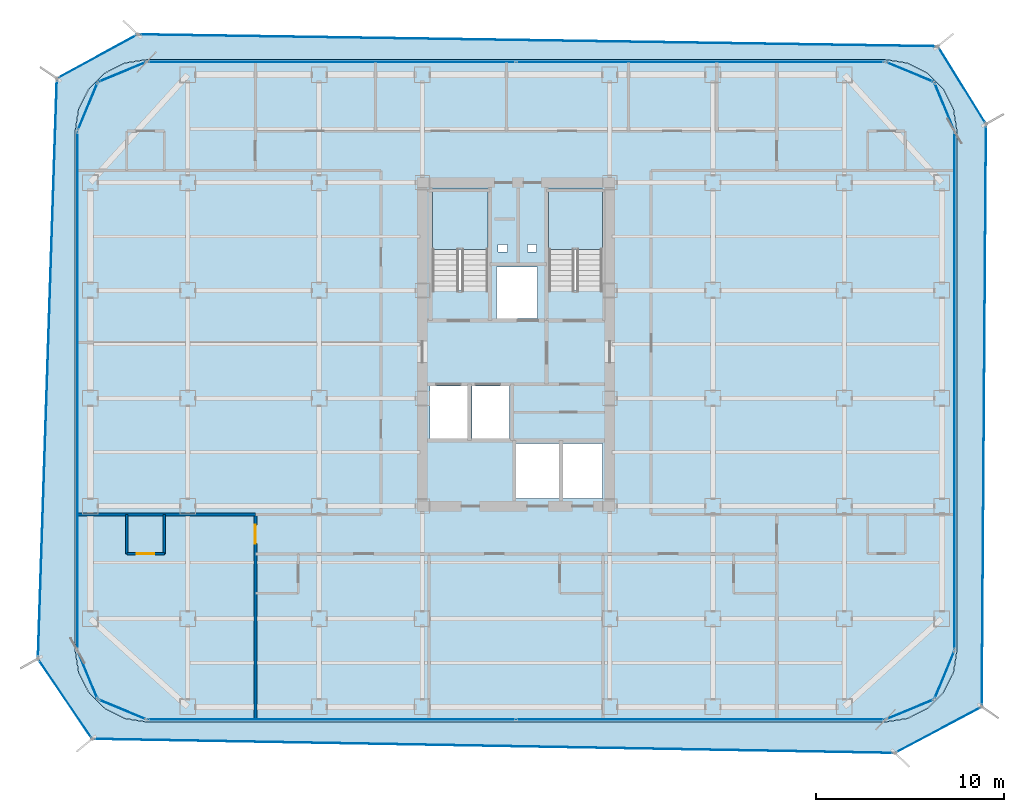
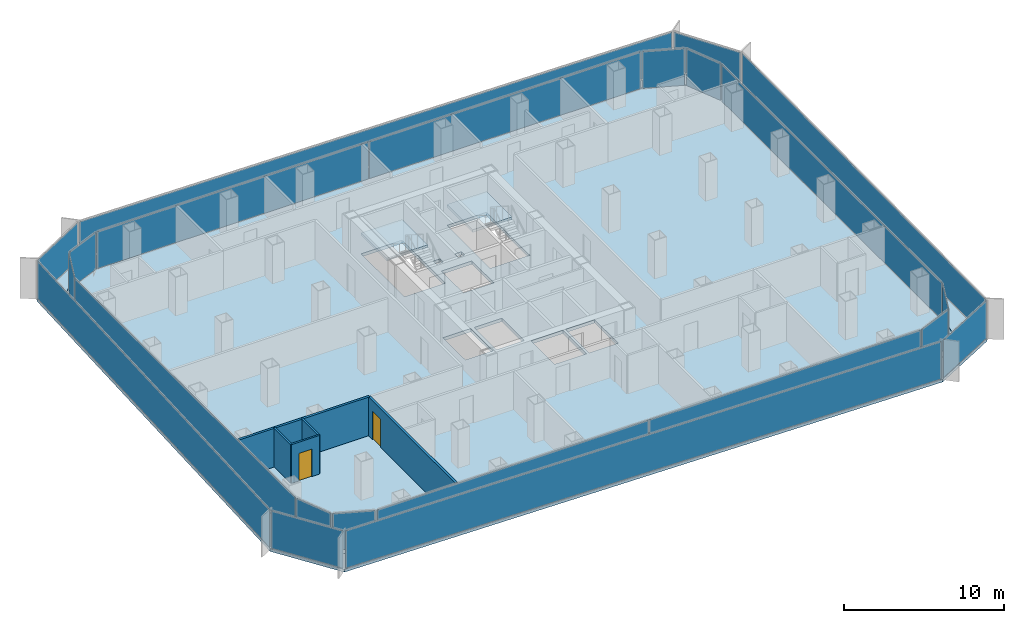
# One storey, part 15 of 21: 22 plates, 5 walls, 4 slabs, 2 doors, 2 openings, 22 elements without a shape of their own.
"""IFC4 building model written with IfcOpenShell, lengths in metres."""

from ifc_helpers import new_model, si_unit, direction, frame, frame_2d, origin, origin_2d, place, context, subcontext, project, spatial, polyline, rectangle, outline, extrude, source, transform, mapped, material, layer, layer_set, type_object, element, fill, aggregate, save


model = new_model("IFC4")

# Units and contexts
model_context = context("Model", 3, precision=1e-05, world=origin(), true_north=direction((0.0, 1.0)))
body_context = subcontext(model_context, "Body", "Model", "MODEL_VIEW")
ifc_project = project(units=[si_unit("LENGTHUNIT", "METRE"), si_unit("AREAUNIT", "SQUARE_METRE"), si_unit("VOLUMEUNIT", "CUBIC_METRE"), si_unit("PLANEANGLEUNIT", "RADIAN"), si_unit("MASSUNIT", "GRAM", prefix="KILO")], contexts=[model_context])

# Site, building, storey
site_placement = place(None, origin())
site = spatial("IfcSite", under=ifc_project, at=site_placement, CompositionType="ELEMENT")
building_placement = place(site_placement, origin())
building = spatial("IfcBuilding", under=site, at=building_placement, Name="Kolveth Station Tower", CompositionType="ELEMENT")
storey_placement = place(building_placement, frame((0.0, 0.0, 127.89990234375)))
storey = spatial("IfcBuildingStorey", under=building, at=storey_placement, Name="L35", CompositionType="ELEMENT", Elevation=127.89990234375)

# Slab
ifc_material_1 = material(Name="Concrete C40/50", Category="concrete")
ifc_layer_1 = layer(ifc_material_1, 0.25)
ifc_layer_set_1 = layer_set([ifc_layer_1], Name="Concrete C40/50")
slab_type_1 = type_object("IfcSlabType", Name="Slab_SF-250", PredefinedType="FLOOR", material=ifc_layer_set_1)
slab_1_placement = place(storey_placement, frame((0.0, 0.0, -0.25)))
element("IfcSlab", 1, at=slab_1_placement, inside=storey, type_object=slab_type_1, Name="L35 Tower Structural Floor Slab", PredefinedType="FLOOR", context=body_context, shape_type="SweptSolid", body=[
    extrude(outline(polyline([(43.199951171875, 0.0), (44.374267578125, 0.18603515625), (45.43359375, 0.7255859375), (46.2744140625, 1.56640625), (46.81396484375, 2.625732421875), (47.0, 3.800048828125), (47.0, 31.5), (46.81396484375, 32.67431640625), (46.2744140625, 33.733642578125), (45.43359375, 34.57421875), (44.374267578125, 35.114013671875), (43.199951171875, 35.300048828125), (3.800048828125, 35.300048828125), (2.625732421875, 35.114013671875), (1.56640625, 34.57421875), (0.7255859375, 33.733642578125), (0.18603515625, 32.67431640625), (0.0, 31.5), (0.0, 3.800048828125), (0.18603515625, 2.625732421875), (0.7255859375, 1.56640625), (1.56640625, 0.7255859375), (2.625732421875, 0.18603515625), (3.800048828125, 0.0), (43.199951171875, 0.0)]), holes=[polyline([(19.0400390625, 22.985107421875), (22.0, 22.985107421875), (22.0, 28.39990234375), (19.0400390625, 28.39990234375), (19.0400390625, 22.985107421875)]), polyline([(25.239990234375, 22.985107421875), (28.10009765625, 22.985107421875), (28.10009765625, 28.39990234375), (25.239990234375, 28.39990234375), (25.239990234375, 22.985107421875)]), polyline([(18.89990234375, 15.10009765625), (20.89990234375, 15.10009765625), (20.89990234375, 17.89990234375), (18.89990234375, 17.89990234375), (18.89990234375, 15.10009765625)]), polyline([(21.14990234375, 15.10009765625), (23.14990234375, 15.10009765625), (23.14990234375, 17.89990234375), (21.14990234375, 17.89990234375), (21.14990234375, 15.10009765625)]), polyline([(22.449951171875, 21.5), (24.64990234375, 21.5), (24.64990234375, 24.25), (22.449951171875, 24.25), (22.449951171875, 21.5)]), polyline([(23.5, 11.89990234375), (25.800048828125, 11.89990234375), (25.800048828125, 14.85009765625), (23.5, 14.85009765625), (23.5, 11.89990234375)]), polyline([(26.0, 11.89990234375), (28.10009765625, 11.89990234375), (28.10009765625, 14.85009765625), (26.0, 14.85009765625), (26.0, 11.89990234375)]), polyline([(22.550048828125, 25.050048828125), (23.050048828125, 25.050048828125), (23.050048828125, 25.449951171875), (22.550048828125, 25.449951171875), (22.550048828125, 25.050048828125)]), polyline([(24.10009765625, 25.050048828125), (24.60009765625, 25.050048828125), (24.60009765625, 25.449951171875), (24.10009765625, 25.449951171875), (24.10009765625, 25.050048828125)])]), origin(), (0.0, 0.0, 1.0), 0.25),
])

# Stair, slab
stair_type_1 = type_object("IfcStairType", Name="Stair_ST2", PredefinedType="HALF_TURN_STAIR", material=ifc_material_1)
stair_1_placement = place(storey_placement, origin())
stair_1 = element("IfcStair", 2, at=stair_1_placement, inside=storey, type_object=stair_type_1, Name="L35 Tower Exit Stair ST2", PredefinedType="HALF_TURN_STAIR")
ifc_layer_2 = layer(ifc_material_1, 0.18994140625)
ifc_layer_set_2 = layer_set([ifc_layer_2], Name="Concrete C40/50")
slab_type_2 = type_object("IfcSlabType", Name="Slab_SL-190", PredefinedType="LANDING", material=ifc_layer_set_2)
slab_2_placement = place(storey_placement, frame((0.0, 0.0, 1.400146484375)))
slab_2 = element("IfcSlab", 3, at=slab_2_placement, type_object=slab_type_2, Name="ST2 landing 1", PredefinedType="LANDING", context=body_context, shape_type="SweptSolid", body=[
    extrude(outline(polyline([(28.10009765625, 25.18994140625), (28.10009765625, 28.39990234375), (25.239990234375, 28.39990234375), (25.239990234375, 25.18994140625), (28.10009765625, 25.18994140625)])), origin(), (0.0, 0.0, 1.0), 0.199951171875),
])
aggregate(stair_1, [slab_2])

stair_type_2 = type_object("IfcStairType", Name="Stair_ST1", PredefinedType="HALF_TURN_STAIR", material=ifc_material_1)
stair_2_placement = place(storey_placement, origin())
stair_2 = element("IfcStair", 4, at=stair_2_placement, inside=storey, type_object=stair_type_2, Name="L35 Tower Exit Stair ST1", PredefinedType="HALF_TURN_STAIR")
ifc_layer_3 = layer(ifc_material_1, 0.205078125)
ifc_layer_set_3 = layer_set([ifc_layer_3], Name="Concrete C40/50")
slab_type_3 = type_object("IfcSlabType", Name="Slab_SL-205", PredefinedType="LANDING", material=ifc_layer_set_3)
slab_3_placement = place(storey_placement, frame((0.0, 0.0, 1.400146484375)))
slab_3 = element("IfcSlab", 5, at=slab_3_placement, type_object=slab_type_3, Name="ST1 landing 1", PredefinedType="LANDING", context=body_context, shape_type="SweptSolid", body=[
    extrude(outline(polyline([(22.0, 25.18994140625), (22.0, 28.39990234375), (19.0400390625, 28.39990234375), (19.0400390625, 25.18994140625), (22.0, 25.18994140625)])), origin(), (0.0, 0.0, 1.0), 0.199951171875),
])
aggregate(stair_2, [slab_3])

# Slab
ifc_layer_4 = layer(ifc_material_1, 0.2099609375)
ifc_layer_set_4 = layer_set([ifc_layer_4], Name="Concrete C40/50")
slab_type_4 = type_object("IfcSlabType", Name="Slab_ST-210", PredefinedType="FLOOR", material=ifc_layer_set_4)
slab_4_placement = place(storey_placement, frame((0.0, 0.0, -0.2099609375)))
element("IfcSlab", 6, at=slab_4_placement, inside=storey, type_object=slab_type_4, Name="L35 Double-Skin Cavity Structural Ledger Ring", PredefinedType="FLOOR", context=body_context, shape_type="SweptSolid", body=[
    extrude(outline(polyline([(0.897216796875, -0.910888671875), (-1.98779296875, 3.3701171875), (-0.979248046875, 34.297607421875), (3.335693359375, 36.6484375), (45.9912109375, 36.01513671875), (48.559326171875, 31.8759765625), (48.33349609375, 0.798583984375), (43.703125, -1.662353515625), (0.897216796875, -0.910888671875)]), holes=[polyline([(43.202392578125, -0.014892578125), (44.376708984375, 0.171142578125), (44.381103515625, 0.172607421875), (45.4404296875, 0.71240234375), (45.444091796875, 0.715087890625), (46.284912109375, 1.555908203125), (46.28759765625, 1.5595703125), (46.827392578125, 2.618896484375), (46.828857421875, 2.623291015625), (47.014892578125, 3.797607421875), (47.014892578125, 3.800048828125), (47.014892578125, 31.5), (47.014892578125, 31.502197265625), (46.828857421875, 32.676513671875), (46.827392578125, 32.68115234375), (46.28759765625, 33.740478515625), (46.284912109375, 33.744140625), (45.444091796875, 34.5849609375), (45.4404296875, 34.587646484375), (44.381103515625, 35.12744140625), (44.376708984375, 35.12890625), (43.202392578125, 35.314697265625), (43.199951171875, 35.31494140625), (3.800048828125, 35.31494140625), (3.797607421875, 35.314697265625), (2.623291015625, 35.12890625), (2.618896484375, 35.12744140625), (1.5595703125, 34.587646484375), (1.555908203125, 34.5849609375), (0.715087890625, 33.744140625), (0.71240234375, 33.740478515625), (0.172607421875, 32.68115234375), (0.171142578125, 32.676513671875), (-0.014892578125, 31.502197265625), (-0.014892578125, 31.5), (-0.014892578125, 3.800048828125), (-0.014892578125, 3.797607421875), (0.171142578125, 2.623291015625), (0.172607421875, 2.618896484375), (0.71240234375, 1.5595703125), (0.715087890625, 1.555908203125), (1.555908203125, 0.715087890625), (1.5595703125, 0.71240234375), (2.618896484375, 0.172607421875), (2.623291015625, 0.171142578125), (3.797607421875, -0.014892578125), (3.800048828125, -0.014892578125), (43.199951171875, -0.014892578125), (43.202392578125, -0.014892578125)])]), origin(), (0.0, 0.0, 1.0), 0.2099609375),
])

# Curtain wall, plate
ifc_material_2 = material(Name="Aluminium 6063-T6 and low-E dark glass", Category="aluminium")
ifc_layer_5 = layer(ifc_material_2, 0.18994140625)
ifc_layer_set_5 = layer_set([ifc_layer_5], Name="Aluminium 6063-T6 and low-E dark glass")
curtain_wall_type_1 = type_object("IfcCurtainWallType", Name="CurtainWall_CW-Z2", PredefinedType="NOTDEFINED", material=ifc_layer_set_5)
curtain_wall_1_placement = place(storey_placement, origin())
curtain_wall_1 = element("IfcCurtainWall", 7, at=curtain_wall_1_placement, inside=storey, type_object=curtain_wall_type_1, Name="L35 Inner Thermal Curtain Wall 1", PredefinedType="NOTDEFINED")
ifc_material_3 = material(Name="Architectural low-E dark glass", Category="glass")
ifc_layer_6 = layer(ifc_material_3, 0.0380859375)
ifc_layer_set_6 = layer_set([ifc_layer_6], Name="Architectural low-E dark glass")
plate_type_1 = type_object("IfcPlateType", Name="Panel_GL2", PredefinedType="CURTAIN_PANEL", material=ifc_layer_set_6)
shared_shape_1 = source(origin(), body_context, "Body", "SweptSolid", [
    extrude(rectangle(XDim=2.670654296875, YDim=0.0380859375, at=origin_2d()), origin(), (0.0, 0.0, 1.0), 2.803955078125),
])
plate_1_placement = place(storey_placement, frame((44.501220703125, 0.658935546875, 0.0732421875), z_axis=(0.0, 0.0, 1.0), x_axis=(0.923887883787, 0.38266326998, 0.0)))
plate_1 = element("IfcPlate", 8, at=plate_1_placement, type_object=plate_type_1, Name="CW-Z2 panel 1.1", PredefinedType="CURTAIN_PANEL", context=body_context, shape_type="MappedRepresentation", body=[
    mapped(shared_shape_1, transform((0.0, 0.0, 0.0), x_axis=(1.0, 0.0, 0.0), y_axis=(0.0, 1.0, 0.0), z_axis=(0.0, 0.0, 1.0), scale=1.0)),
])
aggregate(curtain_wall_1, [plate_1])

curtain_wall_2_placement = place(storey_placement, origin())
curtain_wall_2 = element("IfcCurtainWall", 9, at=curtain_wall_2_placement, inside=storey, type_object=curtain_wall_type_1, Name="L35 Inner Thermal Curtain Wall 2", PredefinedType="NOTDEFINED")
plate_2_placement = place(storey_placement, frame((46.341064453125, 2.498779296875, 0.0732421875), z_axis=(0.0, 0.0, 1.0), x_axis=(0.38266326998, 0.923887883787, 0.0)))
plate_2 = element("IfcPlate", 10, at=plate_2_placement, type_object=plate_type_1, Name="CW-Z2 panel 1.1", PredefinedType="CURTAIN_PANEL", context=body_context, shape_type="MappedRepresentation", body=[
    mapped(shared_shape_1, transform((0.0, 0.0, 0.0), x_axis=(1.0, 0.0, 0.0), y_axis=(0.0, 1.0, 0.0), z_axis=(0.0, 0.0, 1.0), scale=1.0)),
])
aggregate(curtain_wall_2, [plate_2])

curtain_wall_3_placement = place(storey_placement, origin())
curtain_wall_3 = element("IfcCurtainWall", 11, at=curtain_wall_3_placement, inside=storey, type_object=curtain_wall_type_1, Name="L35 Inner Thermal Curtain Wall 4", PredefinedType="NOTDEFINED")
plate_3_placement = place(storey_placement, frame((46.341064453125, 32.801025390625, 0.0732421875), z_axis=(0.0, 0.0, 1.0), x_axis=(-0.38266326998, 0.923887883787, 0.0)))
plate_3 = element("IfcPlate", 12, at=plate_3_placement, type_object=plate_type_1, Name="CW-Z2 panel 1.1", PredefinedType="CURTAIN_PANEL", context=body_context, shape_type="MappedRepresentation", body=[
    mapped(shared_shape_1, transform((0.0, 0.0, 0.0), x_axis=(1.0, 0.0, 0.0), y_axis=(0.0, 1.0, 0.0), z_axis=(0.0, 0.0, 1.0), scale=1.0)),
])
aggregate(curtain_wall_3, [plate_3])

curtain_wall_4_placement = place(storey_placement, origin())
curtain_wall_4 = element("IfcCurtainWall", 13, at=curtain_wall_4_placement, inside=storey, type_object=curtain_wall_type_1, Name="L35 Inner Thermal Curtain Wall 5", PredefinedType="NOTDEFINED")
plate_4_placement = place(storey_placement, frame((44.501220703125, 34.64111328125, 0.0732421875), z_axis=(0.0, 0.0, 1.0), x_axis=(-0.923887883787, 0.38266326998, 0.0)))
plate_4 = element("IfcPlate", 14, at=plate_4_placement, type_object=plate_type_1, Name="CW-Z2 panel 1.1", PredefinedType="CURTAIN_PANEL", context=body_context, shape_type="MappedRepresentation", body=[
    mapped(shared_shape_1, transform((0.0, 0.0, 0.0), x_axis=(1.0, 0.0, 0.0), y_axis=(0.0, 1.0, 0.0), z_axis=(0.0, 0.0, 1.0), scale=1.0)),
])
aggregate(curtain_wall_4, [plate_4])

curtain_wall_5_placement = place(storey_placement, origin())
curtain_wall_5 = element("IfcCurtainWall", 15, at=curtain_wall_5_placement, inside=storey, type_object=curtain_wall_type_1, Name="L35 Inner Thermal Curtain Wall 7", PredefinedType="NOTDEFINED")
plate_5_placement = place(storey_placement, frame((2.498779296875, 34.64111328125, 0.0732421875), z_axis=(0.0, 0.0, 1.0), x_axis=(-0.923887883787, -0.38266326998, 0.0)))
plate_5 = element("IfcPlate", 16, at=plate_5_placement, type_object=plate_type_1, Name="CW-Z2 panel 1.1", PredefinedType="CURTAIN_PANEL", context=body_context, shape_type="MappedRepresentation", body=[
    mapped(shared_shape_1, transform((0.0, 0.0, 0.0), x_axis=(1.0, 0.0, 0.0), y_axis=(0.0, 1.0, 0.0), z_axis=(0.0, 0.0, 1.0), scale=1.0)),
])
aggregate(curtain_wall_5, [plate_5])

curtain_wall_6_placement = place(storey_placement, origin())
curtain_wall_6 = element("IfcCurtainWall", 17, at=curtain_wall_6_placement, inside=storey, type_object=curtain_wall_type_1, Name="L35 Inner Thermal Curtain Wall 8", PredefinedType="NOTDEFINED")
plate_6_placement = place(storey_placement, frame((0.658935546875, 32.801025390625, 0.0732421875), z_axis=(0.0, 0.0, 1.0), x_axis=(-0.38266326998, -0.923887883787, 0.0)))
plate_6 = element("IfcPlate", 18, at=plate_6_placement, type_object=plate_type_1, Name="CW-Z2 panel 1.1", PredefinedType="CURTAIN_PANEL", context=body_context, shape_type="MappedRepresentation", body=[
    mapped(shared_shape_1, transform((0.0, 0.0, 0.0), x_axis=(1.0, 0.0, 0.0), y_axis=(0.0, 1.0, 0.0), z_axis=(0.0, 0.0, 1.0), scale=1.0)),
])
aggregate(curtain_wall_6, [plate_6])

curtain_wall_7_placement = place(storey_placement, origin())
curtain_wall_7 = element("IfcCurtainWall", 19, at=curtain_wall_7_placement, inside=storey, type_object=curtain_wall_type_1, Name="L35 Inner Thermal Curtain Wall 10", PredefinedType="NOTDEFINED")
plate_7_placement = place(storey_placement, frame((0.658935546875, 2.498779296875, 0.0732421875), z_axis=(0.0, 0.0, 1.0), x_axis=(0.38266326998, -0.923887883787, 0.0)))
plate_7 = element("IfcPlate", 20, at=plate_7_placement, type_object=plate_type_1, Name="CW-Z2 panel 1.1", PredefinedType="CURTAIN_PANEL", context=body_context, shape_type="MappedRepresentation", body=[
    mapped(shared_shape_1, transform((0.0, 0.0, 0.0), x_axis=(1.0, 0.0, 0.0), y_axis=(0.0, 1.0, 0.0), z_axis=(0.0, 0.0, 1.0), scale=1.0)),
])
aggregate(curtain_wall_7, [plate_7])

curtain_wall_8_placement = place(storey_placement, origin())
curtain_wall_8 = element("IfcCurtainWall", 21, at=curtain_wall_8_placement, inside=storey, type_object=curtain_wall_type_1, Name="L35 Inner Thermal Curtain Wall 11", PredefinedType="NOTDEFINED")
plate_8_placement = place(storey_placement, frame((2.498779296875, 0.658935546875, 0.0732421875), z_axis=(0.0, 0.0, 1.0), x_axis=(0.923887883787, -0.38266326998, 0.0)))
plate_8 = element("IfcPlate", 22, at=plate_8_placement, type_object=plate_type_1, Name="CW-Z2 panel 1.1", PredefinedType="CURTAIN_PANEL", context=body_context, shape_type="MappedRepresentation", body=[
    mapped(shared_shape_1, transform((0.0, 0.0, 0.0), x_axis=(1.0, 0.0, 0.0), y_axis=(0.0, 1.0, 0.0), z_axis=(0.0, 0.0, 1.0), scale=1.0)),
])
aggregate(curtain_wall_8, [plate_8])

curtain_wall_9_placement = place(storey_placement, origin())
curtain_wall_9 = element("IfcCurtainWall", 23, at=curtain_wall_9_placement, inside=storey, type_object=curtain_wall_type_1, Name="L35 Inner Thermal Curtain Wall 3", PredefinedType="NOTDEFINED")
shared_shape_2 = source(origin(), body_context, "Body", "SweptSolid", [
    extrude(rectangle(XDim=27.553955078125, YDim=0.0380859375, at=origin_2d()), origin(), (0.0, 0.0, 1.0), 2.803955078125),
])
plate_9_placement = place(storey_placement, frame((46.8798828125, 17.64990234375, 0.0732421875), z_axis=(0.0, 0.0, 1.0), x_axis=(0.0, 1.0, 0.0)))
plate_9 = element("IfcPlate", 24, at=plate_9_placement, type_object=plate_type_1, Name="CW-Z2 panel 1.1", PredefinedType="CURTAIN_PANEL", context=body_context, shape_type="MappedRepresentation", body=[
    mapped(shared_shape_2, transform((0.0, 0.0, 0.0), x_axis=(1.0, 0.0, 0.0), y_axis=(0.0, 1.0, 0.0), z_axis=(0.0, 0.0, 1.0), scale=1.0)),
])
aggregate(curtain_wall_9, [plate_9])

curtain_wall_10_placement = place(storey_placement, origin())
curtain_wall_10 = element("IfcCurtainWall", 25, at=curtain_wall_10_placement, inside=storey, type_object=curtain_wall_type_1, Name="L35 Inner Thermal Curtain Wall 9", PredefinedType="NOTDEFINED")
plate_10_placement = place(storey_placement, frame((0.1201171875, 17.64990234375, 0.0732421875), z_axis=(0.0, 0.0, 1.0), x_axis=(0.0, -1.0, 0.0)))
plate_10 = element("IfcPlate", 26, at=plate_10_placement, type_object=plate_type_1, Name="CW-Z2 panel 1.1", PredefinedType="CURTAIN_PANEL", context=body_context, shape_type="MappedRepresentation", body=[
    mapped(shared_shape_2, transform((0.0, 0.0, 0.0), x_axis=(1.0, 0.0, 0.0), y_axis=(0.0, 1.0, 0.0), z_axis=(0.0, 0.0, 1.0), scale=1.0)),
])
aggregate(curtain_wall_10, [plate_10])

# Curtain wall, plates
curtain_wall_11_placement = place(storey_placement, origin())
curtain_wall_11 = element("IfcCurtainWall", 27, at=curtain_wall_11_placement, inside=storey, type_object=curtain_wall_type_1, Name="L35 Inner Thermal Curtain Wall 6", PredefinedType="NOTDEFINED")
shared_shape_3 = source(origin(), body_context, "Body", "SweptSolid", [
    extrude(rectangle(XDim=19.593994140625, YDim=0.0380859375, at=origin_2d()), origin(), (0.0, 0.0, 1.0), 2.803955078125),
])
plate_11_placement = place(storey_placement, frame((33.330078125, 35.179931640625, 0.0732421875), z_axis=(0.0, 0.0, 1.0), x_axis=(-1.0, 0.0, 0.0)))
plate_11 = element("IfcPlate", 28, at=plate_11_placement, type_object=plate_type_1, Name="CW-Z2 panel 1.1", PredefinedType="CURTAIN_PANEL", context=body_context, shape_type="MappedRepresentation", body=[
    mapped(shared_shape_3, transform((0.0, 0.0, 0.0), x_axis=(1.0, 0.0, 0.0), y_axis=(0.0, 1.0, 0.0), z_axis=(0.0, 0.0, 1.0), scale=1.0)),
])
plate_12_placement = place(storey_placement, frame((13.669921875, 35.179931640625, 0.0732421875), z_axis=(0.0, 0.0, 1.0), x_axis=(-1.0, 0.0, 0.0)))
plate_12 = element("IfcPlate", 29, at=plate_12_placement, type_object=plate_type_1, Name="CW-Z2 panel 2.1", PredefinedType="CURTAIN_PANEL", context=body_context, shape_type="MappedRepresentation", body=[
    mapped(shared_shape_3, transform((0.0, 0.0, 0.0), x_axis=(1.0, 0.0, 0.0), y_axis=(0.0, 1.0, 0.0), z_axis=(0.0, 0.0, 1.0), scale=1.0)),
])
aggregate(curtain_wall_11, [plate_11, plate_12])

curtain_wall_12_placement = place(storey_placement, origin())
curtain_wall_12 = element("IfcCurtainWall", 30, at=curtain_wall_12_placement, inside=storey, type_object=curtain_wall_type_1, Name="L35 Inner Thermal Curtain Wall 12", PredefinedType="NOTDEFINED")
plate_13_placement = place(storey_placement, frame((13.669921875, 0.1201171875, 0.0732421875), z_axis=(0.0, 0.0, 1.0), x_axis=(1.0, 0.0, 0.0)))
plate_13 = element("IfcPlate", 31, at=plate_13_placement, type_object=plate_type_1, Name="CW-Z2 panel 1.1", PredefinedType="CURTAIN_PANEL", context=body_context, shape_type="MappedRepresentation", body=[
    mapped(shared_shape_3, transform((0.0, 0.0, 0.0), x_axis=(1.0, 0.0, 0.0), y_axis=(0.0, 1.0, 0.0), z_axis=(0.0, 0.0, 1.0), scale=1.0)),
])
plate_14_placement = place(storey_placement, frame((33.330078125, 0.1201171875, 0.0732421875), z_axis=(0.0, 0.0, 1.0), x_axis=(1.0, 0.0, 0.0)))
plate_14 = element("IfcPlate", 32, at=plate_14_placement, type_object=plate_type_1, Name="CW-Z2 panel 2.1", PredefinedType="CURTAIN_PANEL", context=body_context, shape_type="MappedRepresentation", body=[
    mapped(shared_shape_3, transform((0.0, 0.0, 0.0), x_axis=(1.0, 0.0, 0.0), y_axis=(0.0, 1.0, 0.0), z_axis=(0.0, 0.0, 1.0), scale=1.0)),
])
aggregate(curtain_wall_12, [plate_13, plate_14])

# Curtain wall, plate
ifc_material_4 = material(Name="Black anodized aluminium 6063-T6 and dark solar glass", Category="aluminium")
ifc_layer_7 = layer(ifc_material_4, 0.159912109375)
ifc_layer_set_7 = layer_set([ifc_layer_7], Name="Black anodized aluminium 6063-T6 and dark solar glass")
curtain_wall_type_2 = type_object("IfcCurtainWallType", Name="OUTER SKIN CW-OS", PredefinedType="NOTDEFINED", material=ifc_layer_set_7)
curtain_wall_13_placement = place(storey_placement, origin())
curtain_wall_13 = element("IfcCurtainWall", 33, at=curtain_wall_13_placement, inside=storey, type_object=curtain_wall_type_2, Name="L35 Outer Ventilated Skin Curtain Wall 1", PredefinedType="NOTDEFINED")
ifc_layer_8 = layer(ifc_material_3, 0.028076171875)
ifc_layer_set_8 = layer_set([ifc_layer_8], Name="Architectural low-E dark glass")
plate_type_2 = type_object("IfcPlateType", Name="Panel_GL-OS", PredefinedType="CURTAIN_PANEL", material=ifc_layer_set_8)
shared_shape_4 = source(origin(), body_context, "Body", "SweptSolid", [
    extrude(rectangle(XDim=5.077392578125, YDim=0.028076171875, at=origin_2d()), origin(), (0.0, 0.0, 1.0), 2.843994140625),
])
plate_15_placement = place(storey_placement, frame((46.018310546875, -0.431884765625, 0.0732421875), z_axis=(0.0, 0.0, 1.0), x_axis=(0.883028293889, 0.469319754743, 0.0)))
plate_15 = element("IfcPlate", 34, at=plate_15_placement, type_object=plate_type_2, Name="CW-OS panel 1.1", PredefinedType="CURTAIN_PANEL", context=body_context, shape_type="MappedRepresentation", body=[
    mapped(shared_shape_4, transform((0.0, 0.0, 0.0), x_axis=(1.0, 0.0, 0.0), y_axis=(0.0, 1.0, 0.0), z_axis=(0.0, 0.0, 1.0), scale=1.0)),
])
aggregate(curtain_wall_13, [plate_15])

curtain_wall_14_placement = place(storey_placement, origin())
curtain_wall_14 = element("IfcCurtainWall", 35, at=curtain_wall_14_placement, inside=storey, type_object=curtain_wall_type_2, Name="L35 Outer Ventilated Skin Curtain Wall 2", PredefinedType="NOTDEFINED")
shared_shape_5 = source(origin(), body_context, "Body", "SweptSolid", [
    extrude(rectangle(XDim=30.912353515625, YDim=0.028076171875, at=origin_2d()), origin(), (0.0, 0.0, 1.0), 2.843994140625),
])
plate_16_placement = place(storey_placement, frame((48.4462890625, 16.337158203125, 0.0732421875), z_axis=(0.0, 0.0, 1.0), x_axis=(0.007271949946, 0.999973559022, 0.0)))
plate_16 = element("IfcPlate", 36, at=plate_16_placement, type_object=plate_type_2, Name="CW-OS panel 1.1", PredefinedType="CURTAIN_PANEL", context=body_context, shape_type="MappedRepresentation", body=[
    mapped(shared_shape_5, transform((0.0, 0.0, 0.0), x_axis=(1.0, 0.0, 0.0), y_axis=(0.0, 1.0, 0.0), z_axis=(0.0, 0.0, 1.0), scale=1.0)),
])
aggregate(curtain_wall_14, [plate_16])

curtain_wall_15_placement = place(storey_placement, origin())
curtain_wall_15 = element("IfcCurtainWall", 37, at=curtain_wall_15_placement, inside=storey, type_object=curtain_wall_type_2, Name="L35 Outer Ventilated Skin Curtain Wall 3", PredefinedType="NOTDEFINED")
shared_shape_6 = source(origin(), body_context, "Body", "SweptSolid", [
    extrude(rectangle(XDim=4.705322265625, YDim=0.028076171875, at=origin_2d()), origin(), (0.0, 0.0, 1.0), 2.843994140625),
])
plate_17_placement = place(storey_placement, frame((47.275146484375, 33.945556640625, 0.0732421875), z_axis=(0.0, 0.0, 1.0), x_axis=(-0.527235613891, 0.849719134447, 0.0)))
plate_17 = element("IfcPlate", 38, at=plate_17_placement, type_object=plate_type_2, Name="CW-OS panel 1.1", PredefinedType="CURTAIN_PANEL", context=body_context, shape_type="MappedRepresentation", body=[
    mapped(shared_shape_6, transform((0.0, 0.0, 0.0), x_axis=(1.0, 0.0, 0.0), y_axis=(0.0, 1.0, 0.0), z_axis=(0.0, 0.0, 1.0), scale=1.0)),
])
aggregate(curtain_wall_15, [plate_17])

curtain_wall_16_placement = place(storey_placement, origin())
curtain_wall_16 = element("IfcCurtainWall", 39, at=curtain_wall_16_placement, inside=storey, type_object=curtain_wall_type_2, Name="L35 Outer Ventilated Skin Curtain Wall 4", PredefinedType="NOTDEFINED")
shared_shape_7 = source(origin(), body_context, "Body", "SweptSolid", [
    extrude(rectangle(XDim=42.494140625, YDim=0.028076171875, at=origin_2d()), origin(), (0.0, 0.0, 1.0), 2.843994140625),
])
plate_18_placement = place(storey_placement, frame((24.663330078125, 36.331787109375, 0.0732421875), z_axis=(0.0, 0.0, 1.0), x_axis=(-0.999889803674, 0.014845218386, 0.0)))
plate_18 = element("IfcPlate", 40, at=plate_18_placement, type_object=plate_type_2, Name="CW-OS panel 1.1", PredefinedType="CURTAIN_PANEL", context=body_context, shape_type="MappedRepresentation", body=[
    mapped(shared_shape_7, transform((0.0, 0.0, 0.0), x_axis=(1.0, 0.0, 0.0), y_axis=(0.0, 1.0, 0.0), z_axis=(0.0, 0.0, 1.0), scale=1.0)),
])
aggregate(curtain_wall_16, [plate_18])

curtain_wall_17_placement = place(storey_placement, origin())
curtain_wall_17 = element("IfcCurtainWall", 41, at=curtain_wall_17_placement, inside=storey, type_object=curtain_wall_type_2, Name="L35 Outer Ventilated Skin Curtain Wall 5", PredefinedType="NOTDEFINED")
shared_shape_8 = source(origin(), body_context, "Body", "SweptSolid", [
    extrude(rectangle(XDim=4.747802734375, YDim=0.028076171875, at=origin_2d()), origin(), (0.0, 0.0, 1.0), 2.843994140625),
])
plate_19_placement = place(storey_placement, frame((1.17822265625, 35.47314453125, 0.0732421875), z_axis=(0.0, 0.0, 1.0), x_axis=(-0.878124906882, -0.478431445364, 0.0)))
plate_19 = element("IfcPlate", 42, at=plate_19_placement, type_object=plate_type_2, Name="CW-OS panel 1.1", PredefinedType="CURTAIN_PANEL", context=body_context, shape_type="MappedRepresentation", body=[
    mapped(shared_shape_8, transform((0.0, 0.0, 0.0), x_axis=(1.0, 0.0, 0.0), y_axis=(0.0, 1.0, 0.0), z_axis=(0.0, 0.0, 1.0), scale=1.0)),
])
aggregate(curtain_wall_17, [plate_19])

curtain_wall_18_placement = place(storey_placement, origin())
curtain_wall_18 = element("IfcCurtainWall", 43, at=curtain_wall_18_placement, inside=storey, type_object=curtain_wall_type_2, Name="L35 Outer Ventilated Skin Curtain Wall 6", PredefinedType="NOTDEFINED")
shared_shape_9 = source(origin(), body_context, "Body", "SweptSolid", [
    extrude(rectangle(XDim=30.778076171875, YDim=0.028076171875, at=origin_2d()), origin(), (0.0, 0.0, 1.0), 2.843994140625),
])
plate_20_placement = place(storey_placement, frame((-1.483642578125, 18.833740234375, 0.0732421875), z_axis=(0.0, 0.0, 1.0), x_axis=(-0.032594320103, -0.99946866399, 0.0)))
plate_20 = element("IfcPlate", 44, at=plate_20_placement, type_object=plate_type_2, Name="CW-OS panel 1.1", PredefinedType="CURTAIN_PANEL", context=body_context, shape_type="MappedRepresentation", body=[
    mapped(shared_shape_9, transform((0.0, 0.0, 0.0), x_axis=(1.0, 0.0, 0.0), y_axis=(0.0, 1.0, 0.0), z_axis=(0.0, 0.0, 1.0), scale=1.0)),
])
aggregate(curtain_wall_18, [plate_20])

curtain_wall_19_placement = place(storey_placement, origin())
curtain_wall_19 = element("IfcCurtainWall", 45, at=curtain_wall_19_placement, inside=storey, type_object=curtain_wall_type_2, Name="L35 Outer Ventilated Skin Curtain Wall 7", PredefinedType="NOTDEFINED")
shared_shape_10 = source(origin(), body_context, "Body", "SweptSolid", [
    extrude(rectangle(XDim=4.996337890625, YDim=0.028076171875, at=origin_2d()), origin(), (0.0, 0.0, 1.0), 2.843994140625),
])
plate_21_placement = place(storey_placement, frame((-0.54541015625, 1.2294921875, 0.0732421875), z_axis=(0.0, 0.0, 1.0), x_axis=(0.558895162439, -0.829238323646, 0.0)))
plate_21 = element("IfcPlate", 46, at=plate_21_placement, type_object=plate_type_2, Name="CW-OS panel 1.1", PredefinedType="CURTAIN_PANEL", context=body_context, shape_type="MappedRepresentation", body=[
    mapped(shared_shape_10, transform((0.0, 0.0, 0.0), x_axis=(1.0, 0.0, 0.0), y_axis=(0.0, 1.0, 0.0), z_axis=(0.0, 0.0, 1.0), scale=1.0)),
])
aggregate(curtain_wall_19, [plate_21])

curtain_wall_20_placement = place(storey_placement, origin())
curtain_wall_20 = element("IfcCurtainWall", 47, at=curtain_wall_20_placement, inside=storey, type_object=curtain_wall_type_2, Name="L35 Outer Ventilated Skin Curtain Wall 8", PredefinedType="NOTDEFINED")
shared_shape_11 = source(origin(), body_context, "Body", "SweptSolid", [
    extrude(rectangle(XDim=42.646484375, YDim=0.028076171875, at=origin_2d()), origin(), (0.0, 0.0, 1.0), 2.843994140625),
])
plate_22_placement = place(storey_placement, frame((22.30029296875, -1.28662109375, 0.0732421875), z_axis=(0.0, 0.0, 1.0), x_axis=(0.999845888205, -0.017555621297, 0.0)))
plate_22 = element("IfcPlate", 48, at=plate_22_placement, type_object=plate_type_2, Name="CW-OS panel 1.1", PredefinedType="CURTAIN_PANEL", context=body_context, shape_type="MappedRepresentation", body=[
    mapped(shared_shape_11, transform((0.0, 0.0, 0.0), x_axis=(1.0, 0.0, 0.0), y_axis=(0.0, 1.0, 0.0), z_axis=(0.0, 0.0, 1.0), scale=1.0)),
])
aggregate(curtain_wall_20, [plate_22])

# Walls
ifc_material_5 = material(Name="Moisture-resistant gypsum partition")
ifc_layer_9 = layer(ifc_material_5, 0.135009765625)
ifc_layer_set_9 = layer_set([ifc_layer_9], Name="Moisture-resistant gypsum partition")
wall_type_1 = type_object("IfcWallType", Name="Wall_IW-135", PredefinedType="PARTITIONING", material=ifc_layer_set_9)
for number, where, z_axis, x_axis, name in (
    (49, (2.75, 8.949951171875, 0.0), (0.0, 0.0, 1.0), (0.0, 1.0, 0.0), "L35 Partition Wall WL-L35-WS1-BV1"),
    (50, (4.75, 8.949951171875, 0.0), (0.0, 0.0, 1.0), (0.0, 1.0, 0.0), "L35 Partition Wall WL-L35-WS1-BV2"),
):
    element("IfcWall", number, at=place(storey_placement, frame(where, z_axis=z_axis, x_axis=x_axis)), inside=storey, type_object=wall_type_1, Name=name, PredefinedType="PARTITIONING", context=body_context, shape_type="SweptSolid", body=[
        extrude(rectangle(XDim=2.10009765625, YDim=0.135009765625, at=frame_2d((1.050048828125, 0.0))), origin(), (0.0, 0.0, 1.0), 2.9501953125),
    ])

# Wall, opening, door
wall_1_placement = place(storey_placement, frame((2.75, 8.949951171875, 0.0), z_axis=(0.0, 0.0, 1.0), x_axis=(1.0, 0.0, 0.0)))
wall_1 = element("IfcWall", 51, at=wall_1_placement, inside=storey, type_object=wall_type_1, Name="L35 Partition Wall WL-L35-WS1-BH", PredefinedType="PARTITIONING", context=body_context, shape_type="SweptSolid", body=[
    extrude(rectangle(XDim=2.0, YDim=0.135009765625, at=frame_2d((1.0, 0.0))), origin(), (0.0, 0.0, 1.0), 2.9501953125),
])
opening_1_placement = place(wall_1_placement, frame((0.5400390625, 0.0, 0.0)))
opening_1 = element("IfcOpeningElement", 52, at=opening_1_placement, cuts=wall_1, Name="Opening ID2", PredefinedType="OPENING", context=body_context, shape_type="SweptSolid", body=[
    extrude(rectangle(XDim=0.919921875, YDim=2.10009765625, at=frame_2d((0.4599609375, 1.050048828125))), frame((0.0, 0.077392578125, 0.0), z_axis=(0.0, -1.0, 0.0), x_axis=(1.0, 0.0, 0.0)), (0.0, 0.0, 1.0), 0.155029296875),
])
ifc_material_6 = material(Name="Moisture-resistant hardwood leaf", Category="wood")
door_type_1 = type_object("IfcDoorType", Name="Door_ID2", OperationType="NOTDEFINED", PredefinedType="DOOR", material=ifc_material_6)
door_1_placement = place(opening_1_placement, origin())
door_1 = element("IfcDoor", 53, at=door_1_placement, inside=storey, type_object=door_type_1, Name="L35 Hotel Corner Suite WS1 En-Suite Door", OperationType="SINGLE_SWING_LEFT", OverallHeight=2.10009765625, OverallWidth=0.919921875, PredefinedType="DOOR", context=body_context, shape_type="SweptSolid", body=[
    extrude(rectangle(XDim=0.919921875, YDim=2.10009765625, at=frame_2d((0.4599609375, 1.050048828125))), frame((0.0, 0.02490234375, 0.0), z_axis=(0.0, -1.0, 0.0), x_axis=(1.0, 0.0, 0.0)), (0.0, 0.0, 1.0), 0.050048828125),
])
fill(opening_1, door_1)

ifc_material_7 = material(Name="Acoustic double-stud gypsum partition")
ifc_layer_10 = layer(ifc_material_7, 0.1650390625)
ifc_layer_set_10 = layer_set([ifc_layer_10], Name="Acoustic double-stud gypsum partition")
wall_type_2 = type_object("IfcWallType", Name="Wall_IW-165", PredefinedType="PARTITIONING", material=ifc_layer_set_10)
wall_2_placement = place(storey_placement, frame((9.60009765625, 0.159912109375, 0.0), z_axis=(0.0, 0.0, 1.0), x_axis=(0.0, 1.0, 0.0)))
wall_2 = element("IfcWall", 54, at=wall_2_placement, inside=storey, type_object=wall_type_2, Name="L35 Partition Wall WL-L35-END-WS", PredefinedType="PARTITIONING", context=body_context, shape_type="SweptSolid", body=[
    extrude(rectangle(XDim=10.89013671875, YDim=0.1650390625, at=frame_2d((5.445068359375, 0.0))), origin(), (0.0, 0.0, 1.0), 2.9501953125),
])
opening_2_placement = place(wall_2_placement, frame((9.340087890625, 0.0, 0.0)))
opening_2 = element("IfcOpeningElement", 55, at=opening_2_placement, cuts=wall_2, Name="Opening FD3", PredefinedType="OPENING", context=body_context, shape_type="SweptSolid", body=[
    extrude(rectangle(XDim=1.0, YDim=2.14990234375, at=frame_2d((0.5, 1.074951171875))), frame((0.0, 0.092529296875, 0.0), z_axis=(0.0, -1.0, 0.0), x_axis=(1.0, 0.0, 0.0)), (0.0, 0.0, 1.0), 0.18505859375),
])
ifc_material_8 = material(Name="Fire-rated hardwood leaf and aluminium frame", Category="wood")
door_type_2 = type_object("IfcDoorType", Name="Door_FD3", OperationType="NOTDEFINED", PredefinedType="DOOR", material=ifc_material_8)
door_2_placement = place(opening_2_placement, origin())
door_2 = element("IfcDoor", 56, at=door_2_placement, inside=storey, type_object=door_type_2, Name="L35 Hotel Corner Suite WS1 Entrance Door", OperationType="SINGLE_SWING_RIGHT", OverallHeight=2.14990234375, OverallWidth=1.0, PredefinedType="DOOR", context=body_context, shape_type="SweptSolid", body=[
    extrude(rectangle(XDim=1.0, YDim=2.14990234375, at=frame_2d((0.5, 1.074951171875))), frame((0.0, 0.02490234375, 0.0), z_axis=(0.0, -1.0, 0.0), x_axis=(1.0, 0.0, 0.0)), (0.0, 0.0, 1.0), 0.050048828125),
])
fill(opening_2, door_2)

# Wall
wall_3_placement = place(storey_placement, frame((0.159912109375, 11.050048828125, 0.0), z_axis=(0.0, 0.0, 1.0), x_axis=(1.0, 0.0, 0.0)))
element("IfcWall", 57, at=wall_3_placement, inside=storey, type_object=wall_type_2, Name="L35 Partition Wall WL-L35-WM1", PredefinedType="PARTITIONING", context=body_context, shape_type="SweptSolid", body=[
    extrude(rectangle(XDim=9.440185546875, YDim=0.1650390625, at=frame_2d((4.72021484375, 0.0))), origin(), (0.0, 0.0, 1.0), 2.9501953125),
])

save(model, "model.ifc")
